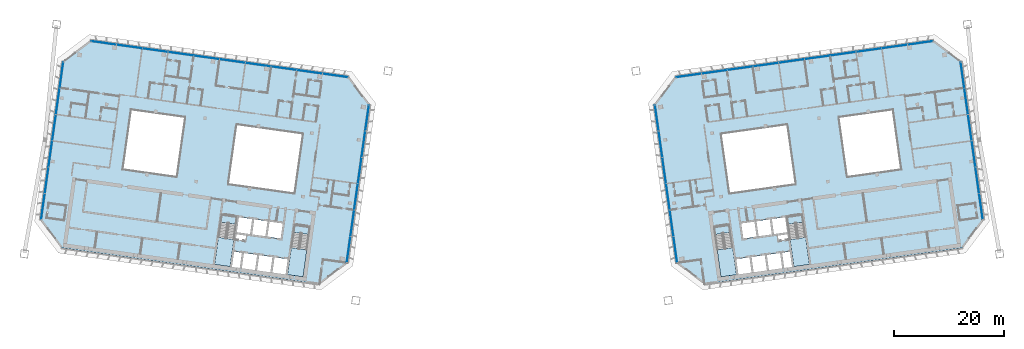
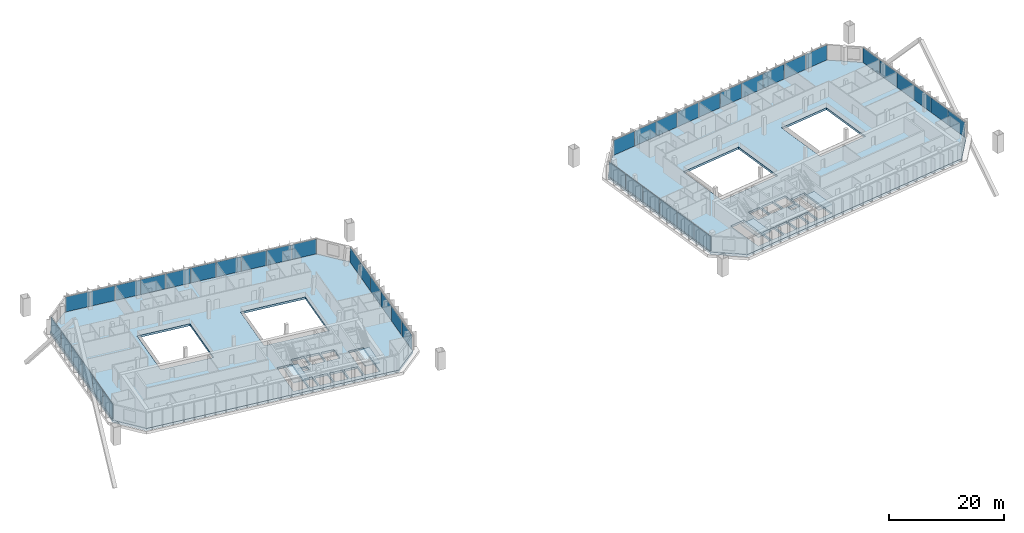
# One storey, part 12 of 23: 44 plates, 6 slabs, 10 elements without a shape of their own.
"""IFC4 building model written with IfcOpenShell, lengths in metres."""

from ifc_helpers import new_model, si_unit, direction, frame, origin, origin_2d, place, context, subcontext, project, spatial, polyline, rectangle, outline, extrude, material, layer, layer_set, type_object, element, aggregate, save


model = new_model("IFC4")

# Units and contexts
model_context = context("Model", 3, precision=1e-05, world=origin(), true_north=direction((0.0, 1.0)))
body_context = subcontext(model_context, "Body", "Model", "MODEL_VIEW")
ifc_project = project(units=[si_unit("LENGTHUNIT", "METRE"), si_unit("AREAUNIT", "SQUARE_METRE"), si_unit("VOLUMEUNIT", "CUBIC_METRE"), si_unit("PLANEANGLEUNIT", "RADIAN"), si_unit("MASSUNIT", "GRAM", prefix="KILO")], contexts=[model_context])

# Site, building, storey
site_placement = place(None, origin())
site = spatial("IfcSite", under=ifc_project, at=site_placement, CompositionType="ELEMENT")
building_placement = place(site_placement, origin())
building = spatial("IfcBuilding", under=site, at=building_placement, Name="Mirante Cascada Hotel Towers", CompositionType="ELEMENT")
storey_placement = place(building_placement, frame((0.0, 0.0, 195.4)))
storey = spatial("IfcBuildingStorey", under=building, at=storey_placement, Name="L46", CompositionType="ELEMENT", Elevation=195.4)

# Curtain wall, plates
ifc_material_1 = material(Name="Aluminium mullion and transom frame with clear laminated glass", Category="aluminium")
curtain_wall_type_1 = type_object("IfcCurtainWallType", Name="Ribbon curtain wall ECW1", PredefinedType="NOTDEFINED", material=ifc_material_1)
curtain_wall_1_placement = place(storey_placement, origin())
curtain_wall_1 = element("IfcCurtainWall", 1, at=curtain_wall_1_placement, inside=storey, type_object=curtain_wall_type_1, Name="Front ribbon wall T1 L46", PredefinedType="NOTDEFINED")
ifc_material_2 = material(Name="Clear laminated glass", Category="glass")
ifc_layer_1 = layer(ifc_material_2, 0.036)
ifc_layer_set_1 = layer_set([ifc_layer_1], Name="ECW1 glass panel 36")
plate_type_1 = type_object("IfcPlateType", Name="ECW1 glass panel 36", PredefinedType="CURTAIN_PANEL", material=ifc_layer_set_1)
plate_1_placement = place(storey_placement, frame((-73.9841, 23.2168, 0.1), z_axis=(0.0, 0.0, 1.0), x_axis=(0.9902681, -0.1391731, 0.0)))
plate_1 = element("IfcPlate", 2, at=plate_1_placement, type_object=plate_type_1, Name="ECW1 panel 1", PredefinedType="CURTAIN_PANEL", context=body_context, shape_type="SweptSolid", body=[
    extrude(rectangle(XDim=4.6146, YDim=0.036, at=origin_2d()), origin(), (0.0, 0.0, 1.0), 3.15),
])
plate_2_placement = place(storey_placement, frame((-69.3339, 22.5633, 0.1), z_axis=(0.0, 0.0, 1.0), x_axis=(0.9902681, -0.1391731, 0.0)))
plate_2 = element("IfcPlate", 3, at=plate_2_placement, type_object=plate_type_1, Name="ECW1 panel 2", PredefinedType="CURTAIN_PANEL", context=body_context, shape_type="SweptSolid", body=[
    extrude(rectangle(XDim=4.6471, YDim=0.036, at=origin_2d()), origin(), (0.0, 0.0, 1.0), 3.15),
])
plate_3_placement = place(storey_placement, frame((-64.6676, 21.9075, 0.1), z_axis=(0.0, 0.0, 1.0), x_axis=(0.9902681, -0.1391731, 0.0)))
plate_3 = element("IfcPlate", 4, at=plate_3_placement, type_object=plate_type_1, Name="ECW1 panel 3", PredefinedType="CURTAIN_PANEL", context=body_context, shape_type="SweptSolid", body=[
    extrude(rectangle(XDim=4.6471, YDim=0.036, at=origin_2d()), origin(), (0.0, 0.0, 1.0), 3.15),
])
plate_4_placement = place(storey_placement, frame((-60.0013, 21.2517, 0.1), z_axis=(0.0, 0.0, 1.0), x_axis=(0.9902681, -0.1391731, 0.0)))
plate_4 = element("IfcPlate", 5, at=plate_4_placement, type_object=plate_type_1, Name="ECW1 panel 4", PredefinedType="CURTAIN_PANEL", context=body_context, shape_type="SweptSolid", body=[
    extrude(rectangle(XDim=4.6471, YDim=0.036, at=origin_2d()), origin(), (0.0, 0.0, 1.0), 3.15),
])
plate_5_placement = place(storey_placement, frame((-55.335, 20.5959, 0.1), z_axis=(0.0, 0.0, 1.0), x_axis=(0.9902681, -0.1391731, 0.0)))
plate_5 = element("IfcPlate", 6, at=plate_5_placement, type_object=plate_type_1, Name="ECW1 panel 5", PredefinedType="CURTAIN_PANEL", context=body_context, shape_type="SweptSolid", body=[
    extrude(rectangle(XDim=4.6471, YDim=0.036, at=origin_2d()), origin(), (0.0, 0.0, 1.0), 3.15),
])
plate_6_placement = place(storey_placement, frame((-50.6688, 19.9401, 0.1), z_axis=(0.0, 0.0, 1.0), x_axis=(0.9902681, -0.1391731, 0.0)))
plate_6 = element("IfcPlate", 7, at=plate_6_placement, type_object=plate_type_1, Name="ECW1 panel 6", PredefinedType="CURTAIN_PANEL", context=body_context, shape_type="SweptSolid", body=[
    extrude(rectangle(XDim=4.6471, YDim=0.036, at=origin_2d()), origin(), (0.0, 0.0, 1.0), 3.15),
])
plate_7_placement = place(storey_placement, frame((-46.0025, 19.2842, 0.1), z_axis=(0.0, 0.0, 1.0), x_axis=(0.9902681, -0.1391731, 0.0)))
plate_7 = element("IfcPlate", 8, at=plate_7_placement, type_object=plate_type_1, Name="ECW1 panel 7", PredefinedType="CURTAIN_PANEL", context=body_context, shape_type="SweptSolid", body=[
    extrude(rectangle(XDim=4.6471, YDim=0.036, at=origin_2d()), origin(), (0.0, 0.0, 1.0), 3.15),
])
plate_8_placement = place(storey_placement, frame((-41.3362, 18.6284, 0.1), z_axis=(0.0, 0.0, 1.0), x_axis=(0.9902681, -0.1391731, 0.0)))
plate_8 = element("IfcPlate", 9, at=plate_8_placement, type_object=plate_type_1, Name="ECW1 panel 8", PredefinedType="CURTAIN_PANEL", context=body_context, shape_type="SweptSolid", body=[
    extrude(rectangle(XDim=4.6471, YDim=0.036, at=origin_2d()), origin(), (0.0, 0.0, 1.0), 3.15),
])
plate_9_placement = place(storey_placement, frame((-36.6699, 17.9726, 0.1), z_axis=(0.0, 0.0, 1.0), x_axis=(0.9902681, -0.1391731, 0.0)))
plate_9 = element("IfcPlate", 10, at=plate_9_placement, type_object=plate_type_1, Name="ECW1 panel 9", PredefinedType="CURTAIN_PANEL", context=body_context, shape_type="SweptSolid", body=[
    extrude(rectangle(XDim=4.6471, YDim=0.036, at=origin_2d()), origin(), (0.0, 0.0, 1.0), 3.15),
])
plate_10_placement = place(storey_placement, frame((-32.0197, 17.3191, 0.1), z_axis=(0.0, 0.0, 1.0), x_axis=(0.9902681, -0.1391731, 0.0)))
plate_10 = element("IfcPlate", 11, at=plate_10_placement, type_object=plate_type_1, Name="ECW1 panel 10", PredefinedType="CURTAIN_PANEL", context=body_context, shape_type="SweptSolid", body=[
    extrude(rectangle(XDim=4.6146, YDim=0.036, at=origin_2d()), origin(), (0.0, 0.0, 1.0), 3.15),
])
aggregate(curtain_wall_1, [plate_1, plate_2, plate_3, plate_4, plate_5, plate_6, plate_7, plate_8, plate_9, plate_10])

curtain_wall_2_placement = place(storey_placement, origin())
curtain_wall_2 = element("IfcCurtainWall", 12, at=curtain_wall_2_placement, inside=storey, type_object=curtain_wall_type_1, Name="Front ribbon wall T2 L46", PredefinedType="NOTDEFINED")
plate_11_placement = place(storey_placement, frame((73.9841, 23.2168, 0.1), z_axis=(0.0, 0.0, 1.0), x_axis=(-0.9902681, -0.1391731, 0.0)))
plate_11 = element("IfcPlate", 13, at=plate_11_placement, type_object=plate_type_1, Name="ECW1 panel 1", PredefinedType="CURTAIN_PANEL", context=body_context, shape_type="SweptSolid", body=[
    extrude(rectangle(XDim=4.6146, YDim=0.036, at=origin_2d()), origin(), (0.0, 0.0, 1.0), 3.15),
])
plate_12_placement = place(storey_placement, frame((69.3339, 22.5633, 0.1), z_axis=(0.0, 0.0, 1.0), x_axis=(-0.9902681, -0.1391731, 0.0)))
plate_12 = element("IfcPlate", 14, at=plate_12_placement, type_object=plate_type_1, Name="ECW1 panel 2", PredefinedType="CURTAIN_PANEL", context=body_context, shape_type="SweptSolid", body=[
    extrude(rectangle(XDim=4.6471, YDim=0.036, at=origin_2d()), origin(), (0.0, 0.0, 1.0), 3.15),
])
plate_13_placement = place(storey_placement, frame((64.6676, 21.9075, 0.1), z_axis=(0.0, 0.0, 1.0), x_axis=(-0.9902681, -0.1391731, 0.0)))
plate_13 = element("IfcPlate", 15, at=plate_13_placement, type_object=plate_type_1, Name="ECW1 panel 3", PredefinedType="CURTAIN_PANEL", context=body_context, shape_type="SweptSolid", body=[
    extrude(rectangle(XDim=4.6471, YDim=0.036, at=origin_2d()), origin(), (0.0, 0.0, 1.0), 3.15),
])
plate_14_placement = place(storey_placement, frame((60.0013, 21.2517, 0.1), z_axis=(0.0, 0.0, 1.0), x_axis=(-0.9902681, -0.1391731, 0.0)))
plate_14 = element("IfcPlate", 16, at=plate_14_placement, type_object=plate_type_1, Name="ECW1 panel 4", PredefinedType="CURTAIN_PANEL", context=body_context, shape_type="SweptSolid", body=[
    extrude(rectangle(XDim=4.6471, YDim=0.036, at=origin_2d()), origin(), (0.0, 0.0, 1.0), 3.15),
])
plate_15_placement = place(storey_placement, frame((55.335, 20.5959, 0.1), z_axis=(0.0, 0.0, 1.0), x_axis=(-0.9902681, -0.1391731, 0.0)))
plate_15 = element("IfcPlate", 17, at=plate_15_placement, type_object=plate_type_1, Name="ECW1 panel 5", PredefinedType="CURTAIN_PANEL", context=body_context, shape_type="SweptSolid", body=[
    extrude(rectangle(XDim=4.6471, YDim=0.036, at=origin_2d()), origin(), (0.0, 0.0, 1.0), 3.15),
])
plate_16_placement = place(storey_placement, frame((50.6688, 19.9401, 0.1), z_axis=(0.0, 0.0, 1.0), x_axis=(-0.9902681, -0.1391731, 0.0)))
plate_16 = element("IfcPlate", 18, at=plate_16_placement, type_object=plate_type_1, Name="ECW1 panel 6", PredefinedType="CURTAIN_PANEL", context=body_context, shape_type="SweptSolid", body=[
    extrude(rectangle(XDim=4.6471, YDim=0.036, at=origin_2d()), origin(), (0.0, 0.0, 1.0), 3.15),
])
plate_17_placement = place(storey_placement, frame((46.0025, 19.2842, 0.1), z_axis=(0.0, 0.0, 1.0), x_axis=(-0.9902681, -0.1391731, 0.0)))
plate_17 = element("IfcPlate", 19, at=plate_17_placement, type_object=plate_type_1, Name="ECW1 panel 7", PredefinedType="CURTAIN_PANEL", context=body_context, shape_type="SweptSolid", body=[
    extrude(rectangle(XDim=4.6471, YDim=0.036, at=origin_2d()), origin(), (0.0, 0.0, 1.0), 3.15),
])
plate_18_placement = place(storey_placement, frame((41.3362, 18.6284, 0.1), z_axis=(0.0, 0.0, 1.0), x_axis=(-0.9902681, -0.1391731, 0.0)))
plate_18 = element("IfcPlate", 20, at=plate_18_placement, type_object=plate_type_1, Name="ECW1 panel 8", PredefinedType="CURTAIN_PANEL", context=body_context, shape_type="SweptSolid", body=[
    extrude(rectangle(XDim=4.6471, YDim=0.036, at=origin_2d()), origin(), (0.0, 0.0, 1.0), 3.15),
])
plate_19_placement = place(storey_placement, frame((36.6699, 17.9726, 0.1), z_axis=(0.0, 0.0, 1.0), x_axis=(-0.9902681, -0.1391731, 0.0)))
plate_19 = element("IfcPlate", 21, at=plate_19_placement, type_object=plate_type_1, Name="ECW1 panel 9", PredefinedType="CURTAIN_PANEL", context=body_context, shape_type="SweptSolid", body=[
    extrude(rectangle(XDim=4.6471, YDim=0.036, at=origin_2d()), origin(), (0.0, 0.0, 1.0), 3.15),
])
plate_20_placement = place(storey_placement, frame((32.0197, 17.3191, 0.1), z_axis=(0.0, 0.0, 1.0), x_axis=(-0.9902681, -0.1391731, 0.0)))
plate_20 = element("IfcPlate", 22, at=plate_20_placement, type_object=plate_type_1, Name="ECW1 panel 10", PredefinedType="CURTAIN_PANEL", context=body_context, shape_type="SweptSolid", body=[
    extrude(rectangle(XDim=4.6146, YDim=0.036, at=origin_2d()), origin(), (0.0, 0.0, 1.0), 3.15),
])
aggregate(curtain_wall_2, [plate_11, plate_12, plate_13, plate_14, plate_15, plate_16, plate_17, plate_18, plate_19, plate_20])

ifc_material_3 = material(Name="Aluminium mullion and transom frame with clear laminated glass", Category="aluminium")
curtain_wall_type_2 = type_object("IfcCurtainWallType", Name="End ribbon curtain wall ECW2", PredefinedType="NOTDEFINED", material=ifc_material_3)
curtain_wall_3_placement = place(storey_placement, origin())
curtain_wall_3 = element("IfcCurtainWall", 23, at=curtain_wall_3_placement, inside=storey, type_object=curtain_wall_type_2, Name="Inner end wall T1 L46", PredefinedType="NOTDEFINED")
ifc_material_4 = material(Name="Clear laminated glass", Category="glass")
ifc_layer_2 = layer(ifc_material_4, 0.034)
ifc_layer_set_2 = layer_set([ifc_layer_2], Name="ECW2 glass panel 34")
plate_type_2 = type_object("IfcPlateType", Name="ECW2 glass panel 34", PredefinedType="CURTAIN_PANEL", material=ifc_layer_set_2)
plate_21_placement = place(storey_placement, frame((-26.2525, 9.6067, 0.1), z_axis=(0.0, 0.0, 1.0), x_axis=(-0.1391731, -0.9902681, 0.0)))
plate_21 = element("IfcPlate", 24, at=plate_21_placement, type_object=plate_type_2, Name="ECW2 panel 1", PredefinedType="CURTAIN_PANEL", context=body_context, shape_type="SweptSolid", body=[
    extrude(rectangle(XDim=4.7151, YDim=0.034, at=origin_2d()), origin(), (0.0, 0.0, 1.0), 3.15),
])
plate_22_placement = place(storey_placement, frame((-26.92, 4.857, 0.1), z_axis=(0.0, 0.0, 1.0), x_axis=(-0.1391731, -0.9902681, 0.0)))
plate_22 = element("IfcPlate", 25, at=plate_22_placement, type_object=plate_type_2, Name="ECW2 panel 2", PredefinedType="CURTAIN_PANEL", context=body_context, shape_type="SweptSolid", body=[
    extrude(rectangle(XDim=4.7476, YDim=0.034, at=origin_2d()), origin(), (0.0, 0.0, 1.0), 3.15),
])
plate_23_placement = place(storey_placement, frame((-27.5898, 0.0912, 0.1), z_axis=(0.0, 0.0, 1.0), x_axis=(-0.1391731, -0.9902681, 0.0)))
plate_23 = element("IfcPlate", 26, at=plate_23_placement, type_object=plate_type_2, Name="ECW2 panel 3", PredefinedType="CURTAIN_PANEL", context=body_context, shape_type="SweptSolid", body=[
    extrude(rectangle(XDim=4.7476, YDim=0.034, at=origin_2d()), origin(), (0.0, 0.0, 1.0), 3.15),
])
plate_24_placement = place(storey_placement, frame((-28.2596, -4.6746, 0.1), z_axis=(0.0, 0.0, 1.0), x_axis=(-0.1391731, -0.9902681, 0.0)))
plate_24 = element("IfcPlate", 27, at=plate_24_placement, type_object=plate_type_2, Name="ECW2 panel 4", PredefinedType="CURTAIN_PANEL", context=body_context, shape_type="SweptSolid", body=[
    extrude(rectangle(XDim=4.7476, YDim=0.034, at=origin_2d()), origin(), (0.0, 0.0, 1.0), 3.15),
])
plate_25_placement = place(storey_placement, frame((-28.9294, -9.4403, 0.1), z_axis=(0.0, 0.0, 1.0), x_axis=(-0.1391731, -0.9902681, 0.0)))
plate_25 = element("IfcPlate", 28, at=plate_25_placement, type_object=plate_type_2, Name="ECW2 panel 5", PredefinedType="CURTAIN_PANEL", context=body_context, shape_type="SweptSolid", body=[
    extrude(rectangle(XDim=4.7476, YDim=0.034, at=origin_2d()), origin(), (0.0, 0.0, 1.0), 3.15),
])
plate_26_placement = place(storey_placement, frame((-29.5969, -14.19, 0.1), z_axis=(0.0, 0.0, 1.0), x_axis=(-0.1391731, -0.9902681, 0.0)))
plate_26 = element("IfcPlate", 29, at=plate_26_placement, type_object=plate_type_2, Name="ECW2 panel 6", PredefinedType="CURTAIN_PANEL", context=body_context, shape_type="SweptSolid", body=[
    extrude(rectangle(XDim=4.7151, YDim=0.034, at=origin_2d()), origin(), (0.0, 0.0, 1.0), 3.15),
])
aggregate(curtain_wall_3, [plate_21, plate_22, plate_23, plate_24, plate_25, plate_26])

curtain_wall_4_placement = place(storey_placement, origin())
curtain_wall_4 = element("IfcCurtainWall", 30, at=curtain_wall_4_placement, inside=storey, type_object=curtain_wall_type_2, Name="Outer end wall T1 L46", PredefinedType="NOTDEFINED")
plate_27_placement = place(storey_placement, frame((-83.6608, 3.1116, 0.1), z_axis=(0.0, 0.0, 1.0), x_axis=(0.1391731, 0.9902681, 0.0)))
plate_27 = element("IfcPlate", 31, at=plate_27_placement, type_object=plate_type_2, Name="ECW2 panel 3", PredefinedType="CURTAIN_PANEL", context=body_context, shape_type="SweptSolid", body=[
    extrude(rectangle(XDim=4.7476, YDim=0.034, at=origin_2d()), origin(), (0.0, 0.0, 1.0), 3.15),
])
plate_28_placement = place(storey_placement, frame((-82.991, 7.8774, 0.1), z_axis=(0.0, 0.0, 1.0), x_axis=(0.1391731, 0.9902681, 0.0)))
plate_28 = element("IfcPlate", 32, at=plate_28_placement, type_object=plate_type_2, Name="ECW2 panel 4", PredefinedType="CURTAIN_PANEL", context=body_context, shape_type="SweptSolid", body=[
    extrude(rectangle(XDim=4.7476, YDim=0.034, at=origin_2d()), origin(), (0.0, 0.0, 1.0), 3.15),
])

curtain_wall_5_placement = place(storey_placement, origin())
curtain_wall_5 = element("IfcCurtainWall", 33, at=curtain_wall_5_placement, inside=storey, type_object=curtain_wall_type_2, Name="Inner end wall T2 L46", PredefinedType="NOTDEFINED")
plate_29_placement = place(storey_placement, frame((26.2525, 9.6067, 0.1), z_axis=(0.0, 0.0, 1.0), x_axis=(0.1391731, -0.9902681, 0.0)))
plate_29 = element("IfcPlate", 34, at=plate_29_placement, type_object=plate_type_2, Name="ECW2 panel 1", PredefinedType="CURTAIN_PANEL", context=body_context, shape_type="SweptSolid", body=[
    extrude(rectangle(XDim=4.7151, YDim=0.034, at=origin_2d()), origin(), (0.0, 0.0, 1.0), 3.15),
])
plate_30_placement = place(storey_placement, frame((26.92, 4.857, 0.1), z_axis=(0.0, 0.0, 1.0), x_axis=(0.1391731, -0.9902681, 0.0)))
plate_30 = element("IfcPlate", 35, at=plate_30_placement, type_object=plate_type_2, Name="ECW2 panel 2", PredefinedType="CURTAIN_PANEL", context=body_context, shape_type="SweptSolid", body=[
    extrude(rectangle(XDim=4.7476, YDim=0.034, at=origin_2d()), origin(), (0.0, 0.0, 1.0), 3.15),
])
plate_31_placement = place(storey_placement, frame((27.5898, 0.0912, 0.1), z_axis=(0.0, 0.0, 1.0), x_axis=(0.1391731, -0.9902681, 0.0)))
plate_31 = element("IfcPlate", 36, at=plate_31_placement, type_object=plate_type_2, Name="ECW2 panel 3", PredefinedType="CURTAIN_PANEL", context=body_context, shape_type="SweptSolid", body=[
    extrude(rectangle(XDim=4.7476, YDim=0.034, at=origin_2d()), origin(), (0.0, 0.0, 1.0), 3.15),
])
plate_32_placement = place(storey_placement, frame((28.2596, -4.6746, 0.1), z_axis=(0.0, 0.0, 1.0), x_axis=(0.1391731, -0.9902681, 0.0)))
plate_32 = element("IfcPlate", 37, at=plate_32_placement, type_object=plate_type_2, Name="ECW2 panel 4", PredefinedType="CURTAIN_PANEL", context=body_context, shape_type="SweptSolid", body=[
    extrude(rectangle(XDim=4.7476, YDim=0.034, at=origin_2d()), origin(), (0.0, 0.0, 1.0), 3.15),
])
plate_33_placement = place(storey_placement, frame((28.9294, -9.4403, 0.1), z_axis=(0.0, 0.0, 1.0), x_axis=(0.1391731, -0.9902681, 0.0)))
plate_33 = element("IfcPlate", 38, at=plate_33_placement, type_object=plate_type_2, Name="ECW2 panel 5", PredefinedType="CURTAIN_PANEL", context=body_context, shape_type="SweptSolid", body=[
    extrude(rectangle(XDim=4.7476, YDim=0.034, at=origin_2d()), origin(), (0.0, 0.0, 1.0), 3.15),
])
plate_34_placement = place(storey_placement, frame((29.5969, -14.19, 0.1), z_axis=(0.0, 0.0, 1.0), x_axis=(0.1391731, -0.9902681, 0.0)))
plate_34 = element("IfcPlate", 39, at=plate_34_placement, type_object=plate_type_2, Name="ECW2 panel 6", PredefinedType="CURTAIN_PANEL", context=body_context, shape_type="SweptSolid", body=[
    extrude(rectangle(XDim=4.7151, YDim=0.034, at=origin_2d()), origin(), (0.0, 0.0, 1.0), 3.15),
])
aggregate(curtain_wall_5, [plate_29, plate_30, plate_31, plate_32, plate_33, plate_34])

curtain_wall_6_placement = place(storey_placement, origin())
curtain_wall_6 = element("IfcCurtainWall", 40, at=curtain_wall_6_placement, inside=storey, type_object=curtain_wall_type_2, Name="Outer end wall T2 L46", PredefinedType="NOTDEFINED")
plate_35_placement = place(storey_placement, frame((83.6608, 3.1116, 0.1), z_axis=(0.0, 0.0, 1.0), x_axis=(-0.1391731, 0.9902681, 0.0)))
plate_35 = element("IfcPlate", 41, at=plate_35_placement, type_object=plate_type_2, Name="ECW2 panel 3", PredefinedType="CURTAIN_PANEL", context=body_context, shape_type="SweptSolid", body=[
    extrude(rectangle(XDim=4.7476, YDim=0.034, at=origin_2d()), origin(), (0.0, 0.0, 1.0), 3.15),
])
plate_36_placement = place(storey_placement, frame((82.991, 7.8774, 0.1), z_axis=(0.0, 0.0, 1.0), x_axis=(-0.1391731, 0.9902681, 0.0)))
plate_36 = element("IfcPlate", 42, at=plate_36_placement, type_object=plate_type_2, Name="ECW2 panel 4", PredefinedType="CURTAIN_PANEL", context=body_context, shape_type="SweptSolid", body=[
    extrude(rectangle(XDim=4.7476, YDim=0.034, at=origin_2d()), origin(), (0.0, 0.0, 1.0), 3.15),
])

# Plate
ifc_material_5 = material(Name="Insulated aluminium spandrel panel", Category="aluminium")
ifc_layer_3 = layer(ifc_material_5, 0.034)
ifc_layer_set_3 = layer_set([ifc_layer_3], Name="ECW2 spandrel panel 34")
plate_type_3 = type_object("IfcPlateType", Name="ECW2 spandrel panel 34", PredefinedType="CURTAIN_PANEL", material=ifc_layer_set_3)
plate_37_placement = place(storey_placement, frame((-84.9981, -6.4039, 0.1), z_axis=(0.0, 0.0, 1.0), x_axis=(0.1391731, 0.9902681, 0.0)))
plate_37 = element("IfcPlate", 43, at=plate_37_placement, type_object=plate_type_3, Name="ECW2 panel 1", PredefinedType="CURTAIN_PANEL", context=body_context, shape_type="SweptSolid", body=[
    extrude(rectangle(XDim=4.7151, YDim=0.034, at=origin_2d()), origin(), (0.0, 0.0, 1.0), 3.15),
])

plate_38_placement = place(storey_placement, frame((-84.3306, -1.6542, 0.1), z_axis=(0.0, 0.0, 1.0), x_axis=(0.1391731, 0.9902681, 0.0)))
plate_38 = element("IfcPlate", 44, at=plate_38_placement, type_object=plate_type_3, Name="ECW2 panel 2", PredefinedType="CURTAIN_PANEL", context=body_context, shape_type="SweptSolid", body=[
    extrude(rectangle(XDim=4.7476, YDim=0.034, at=origin_2d()), origin(), (0.0, 0.0, 1.0), 3.15),
])

plate_39_placement = place(storey_placement, frame((-82.3213, 12.6432, 0.1), z_axis=(0.0, 0.0, 1.0), x_axis=(0.1391731, 0.9902681, 0.0)))
plate_39 = element("IfcPlate", 45, at=plate_39_placement, type_object=plate_type_3, Name="ECW2 panel 5", PredefinedType="CURTAIN_PANEL", context=body_context, shape_type="SweptSolid", body=[
    extrude(rectangle(XDim=4.7476, YDim=0.034, at=origin_2d()), origin(), (0.0, 0.0, 1.0), 3.15),
])

plate_40_placement = place(storey_placement, frame((-81.6537, 17.3928, 0.1), z_axis=(0.0, 0.0, 1.0), x_axis=(0.1391731, 0.9902681, 0.0)))
plate_40 = element("IfcPlate", 46, at=plate_40_placement, type_object=plate_type_3, Name="ECW2 panel 6", PredefinedType="CURTAIN_PANEL", context=body_context, shape_type="SweptSolid", body=[
    extrude(rectangle(XDim=4.7151, YDim=0.034, at=origin_2d()), origin(), (0.0, 0.0, 1.0), 3.15),
])

aggregate(curtain_wall_4, [plate_37, plate_38, plate_27, plate_28, plate_39, plate_40])

plate_41_placement = place(storey_placement, frame((84.9981, -6.4039, 0.1), z_axis=(0.0, 0.0, 1.0), x_axis=(-0.1391731, 0.9902681, 0.0)))
plate_41 = element("IfcPlate", 47, at=plate_41_placement, type_object=plate_type_3, Name="ECW2 panel 1", PredefinedType="CURTAIN_PANEL", context=body_context, shape_type="SweptSolid", body=[
    extrude(rectangle(XDim=4.7151, YDim=0.034, at=origin_2d()), origin(), (0.0, 0.0, 1.0), 3.15),
])

plate_42_placement = place(storey_placement, frame((84.3306, -1.6542, 0.1), z_axis=(0.0, 0.0, 1.0), x_axis=(-0.1391731, 0.9902681, 0.0)))
plate_42 = element("IfcPlate", 48, at=plate_42_placement, type_object=plate_type_3, Name="ECW2 panel 2", PredefinedType="CURTAIN_PANEL", context=body_context, shape_type="SweptSolid", body=[
    extrude(rectangle(XDim=4.7476, YDim=0.034, at=origin_2d()), origin(), (0.0, 0.0, 1.0), 3.15),
])

plate_43_placement = place(storey_placement, frame((82.3213, 12.6432, 0.1), z_axis=(0.0, 0.0, 1.0), x_axis=(-0.1391731, 0.9902681, 0.0)))
plate_43 = element("IfcPlate", 49, at=plate_43_placement, type_object=plate_type_3, Name="ECW2 panel 5", PredefinedType="CURTAIN_PANEL", context=body_context, shape_type="SweptSolid", body=[
    extrude(rectangle(XDim=4.7476, YDim=0.034, at=origin_2d()), origin(), (0.0, 0.0, 1.0), 3.15),
])

plate_44_placement = place(storey_placement, frame((81.6537, 17.3928, 0.1), z_axis=(0.0, 0.0, 1.0), x_axis=(-0.1391731, 0.9902681, 0.0)))
plate_44 = element("IfcPlate", 50, at=plate_44_placement, type_object=plate_type_3, Name="ECW2 panel 6", PredefinedType="CURTAIN_PANEL", context=body_context, shape_type="SweptSolid", body=[
    extrude(rectangle(XDim=4.7151, YDim=0.034, at=origin_2d()), origin(), (0.0, 0.0, 1.0), 3.15),
])

aggregate(curtain_wall_6, [plate_41, plate_42, plate_35, plate_36, plate_43, plate_44])

# Stair, slab
ifc_material_6 = material(Name="Concrete C35/45", Category="concrete")
stair_type = type_object("IfcStairType", Name="Exit stair half-turn 1350 concrete C35/45", PredefinedType="HALF_TURN_STAIR", material=ifc_material_6)
stair_1_placement = place(storey_placement, origin())
stair_1 = element("IfcStair", 51, at=stair_1_placement, inside=storey, type_object=stair_type, Name="L46 Exit stair A", PredefinedType="HALF_TURN_STAIR")
ifc_material_7 = material(Name="Concrete C35/45", Category="concrete")
ifc_layer_4 = layer(ifc_material_7, 0.2)
ifc_layer_set_4 = layer_set([ifc_layer_4], Name="Exit stair landing 200 concrete C35/45")
slab_type_1 = type_object("IfcSlabType", Name="Exit stair landing 200 concrete C35/45", PredefinedType="LANDING", material=ifc_layer_set_4)
slab_1_placement = place(storey_placement, frame((0.0, 0.0, 1.7)))
slab_1 = element("IfcSlab", 52, at=slab_1_placement, type_object=slab_type_1, Name="ST1-A landing 1", PredefinedType="LANDING", context=body_context, shape_type="SweptSolid", body=[
    extrude(outline(polyline([(-39.9987, -13.8659), (-40.6887, -18.7757), (-37.8665, -19.1723), (-37.1765, -14.2626), (-39.9987, -13.8659)])), origin(), (0.0, 0.0, 1.0), 0.2),
])
aggregate(stair_1, [slab_1])

stair_2_placement = place(storey_placement, origin())
stair_2 = element("IfcStair", 53, at=stair_2_placement, inside=storey, type_object=stair_type, Name="L46 Exit stair B", PredefinedType="HALF_TURN_STAIR")
slab_2_placement = place(storey_placement, frame((0.0, 0.0, 1.7)))
slab_2 = element("IfcSlab", 54, at=slab_2_placement, type_object=slab_type_1, Name="ST1-B landing 1", PredefinedType="LANDING", context=body_context, shape_type="SweptSolid", body=[
    extrude(outline(polyline([(-53.2188, -12.008), (-53.9088, -16.9177), (-51.0866, -17.3144), (-50.3965, -12.4046), (-53.2188, -12.008)])), origin(), (0.0, 0.0, 1.0), 0.2),
])
aggregate(stair_2, [slab_2])

stair_3_placement = place(storey_placement, origin())
stair_3 = element("IfcStair", 55, at=stair_3_placement, inside=storey, type_object=stair_type, Name="L46 Exit stair A", PredefinedType="HALF_TURN_STAIR")
slab_3_placement = place(storey_placement, frame((0.0, 0.0, 1.7)))
slab_3 = element("IfcSlab", 56, at=slab_3_placement, type_object=slab_type_1, Name="ST2-A landing 1", PredefinedType="LANDING", context=body_context, shape_type="SweptSolid", body=[
    extrude(outline(polyline([(37.1765, -14.2626), (37.8665, -19.1723), (40.6887, -18.7757), (39.9987, -13.8659), (37.1765, -14.2626)])), origin(), (0.0, 0.0, 1.0), 0.2),
])
aggregate(stair_3, [slab_3])

stair_4_placement = place(storey_placement, origin())
stair_4 = element("IfcStair", 57, at=stair_4_placement, inside=storey, type_object=stair_type, Name="L46 Exit stair B", PredefinedType="HALF_TURN_STAIR")
slab_4_placement = place(storey_placement, frame((0.0, 0.0, 1.7)))
slab_4 = element("IfcSlab", 58, at=slab_4_placement, type_object=slab_type_1, Name="ST2-B landing 1", PredefinedType="LANDING", context=body_context, shape_type="SweptSolid", body=[
    extrude(outline(polyline([(50.3965, -12.4046), (51.0866, -17.3144), (53.9088, -16.9177), (53.2188, -12.008), (50.3965, -12.4046)])), origin(), (0.0, 0.0, 1.0), 0.2),
])
aggregate(stair_4, [slab_4])

# Slabs
ifc_material_8 = material(Name="Concrete C40/50", Category="concrete")
ifc_layer_5 = layer(ifc_material_8, 0.45)
ifc_layer_set_5 = layer_set([ifc_layer_5], Name="Post-tensioned flat plate 450 Concrete C40/50")
slab_type_2 = type_object("IfcSlabType", Name="Post-tensioned flat plate 450 Concrete C40/50", PredefinedType="FLOOR", material=ifc_layer_set_5)
slab_5_placement = place(storey_placement, frame((0.0, 0.0, -0.45)))
element("IfcSlab", 59, at=slab_5_placement, inside=storey, type_object=slab_type_2, Name="Floor T1 L46", PredefinedType="FLOOR", context=body_context, shape_type="SweptSolid", body=[
    extrude(outline(polyline([(-29.7942, -16.6714), (-25.7581, 12.0463), (-29.5881, 17.1288), (-76.374, 23.7042), (-81.4565, 19.8742), (-85.4925, -8.8435), (-81.6626, -13.926), (-34.8766, -20.5014), (-29.7942, -16.6714)]), holes=[polyline([(-40.5961, -15.9612), (-40.9858, -18.7339), (-43.4615, -18.386), (-43.0718, -15.6132), (-40.5961, -15.9612)]), polyline([(-43.3689, -15.5715), (-43.7586, -18.3442), (-46.2342, -17.9963), (-45.8446, -15.2236), (-43.3689, -15.5715)]), polyline([(-46.1416, -15.1818), (-46.5313, -17.9546), (-49.007, -17.6066), (-48.6173, -14.8339), (-46.1416, -15.1818)]), polyline([(-36.7887, -11.5037), (-37.8665, -19.1723), (-40.6887, -18.7757), (-39.611, -11.107), (-36.7887, -11.5037)]), polyline([(-43.9775, -9.124), (-41.5018, -9.472), (-41.8915, -12.2447), (-44.3672, -11.8968), (-43.9775, -9.124)]), polyline([(-44.2746, -9.0823), (-44.6643, -11.855), (-47.1399, -11.5071), (-46.7503, -8.7344), (-44.2746, -9.0823)]), polyline([(-50.3998, -14.5834), (-48.9144, -14.7921), (-49.3041, -17.5649), (-50.7895, -17.3561), (-50.3998, -14.5834)]), polyline([(-50.0088, -9.6457), (-51.0866, -17.3144), (-53.9088, -16.9177), (-52.8311, -9.2491), (-50.0088, -9.6457)]), polyline([(-48.1472, -11.6685), (-48.2829, -12.634), (-50.0901, -12.38), (-49.9544, -11.4145), (-48.1472, -11.6685)]), polyline([(-49.523, -8.3447), (-47.0473, -8.6926), (-47.437, -11.4654), (-49.9127, -11.1174), (-49.523, -8.3447)]), polyline([(-59.2472, 9.7851), (-59.2472, 9.7851), (-60.7781, -1.1078), (-60.7781, -1.1078), (-70.579, 0.2696), (-69.0481, 11.1625), (-59.2472, 9.7851)]), polyline([(-37.8547, 6.7786), (-39.3856, -4.1144), (-51.4189, -2.4232), (-51.4189, -2.4232), (-49.888, 8.4698), (-37.8547, 6.7786)])]), origin(), (0.0, 0.0, 1.0), 0.45),
])
slab_6_placement = place(storey_placement, frame((0.0, 0.0, -0.45)))
element("IfcSlab", 60, at=slab_6_placement, inside=storey, type_object=slab_type_2, Name="Floor T2 L46", PredefinedType="FLOOR", context=body_context, shape_type="SweptSolid", body=[
    extrude(outline(polyline([(29.7942, -16.6714), (25.7581, 12.0463), (29.5881, 17.1288), (76.374, 23.7042), (81.4565, 19.8742), (85.4925, -8.8435), (81.6626, -13.926), (34.8766, -20.5014), (29.7942, -16.6714)]), holes=[polyline([(40.5961, -15.9612), (40.9858, -18.7339), (43.4615, -18.386), (43.0718, -15.6132), (40.5961, -15.9612)]), polyline([(43.3689, -15.5715), (43.7586, -18.3442), (46.2342, -17.9963), (45.8446, -15.2236), (43.3689, -15.5715)]), polyline([(46.1416, -15.1818), (46.5313, -17.9546), (49.007, -17.6066), (48.6173, -14.8339), (46.1416, -15.1818)]), polyline([(37.8665, -19.1723), (40.6887, -18.7757), (39.611, -11.107), (36.7887, -11.5037), (37.8665, -19.1723)]), polyline([(43.9775, -9.124), (41.5018, -9.472), (41.8915, -12.2447), (44.3672, -11.8968), (43.9775, -9.124)]), polyline([(44.2746, -9.0823), (44.6643, -11.855), (47.1399, -11.5071), (46.7503, -8.7344), (44.2746, -9.0823)]), polyline([(50.3998, -14.5834), (48.9144, -14.7921), (49.3041, -17.5649), (50.7895, -17.3561), (50.3998, -14.5834)]), polyline([(51.0866, -17.3144), (53.9088, -16.9177), (52.8311, -9.2491), (50.0088, -9.6457), (51.0866, -17.3144)]), polyline([(48.1472, -11.6685), (48.2829, -12.634), (50.0901, -12.38), (49.9544, -11.4145), (48.1472, -11.6685)]), polyline([(49.523, -8.3447), (47.0473, -8.6926), (47.437, -11.4654), (49.9127, -11.1174), (49.523, -8.3447)]), polyline([(69.0481, 11.1625), (70.579, 0.2696), (60.7781, -1.1078), (60.7781, -1.1078), (59.2472, 9.7851), (59.2472, 9.7851), (69.0481, 11.1625)]), polyline([(39.3856, -4.1144), (37.8547, 6.7786), (49.888, 8.4698), (51.4189, -2.4232), (51.4189, -2.4232), (39.3856, -4.1144)])]), origin(), (0.0, 0.0, 1.0), 0.45),
])

save(model, "model.ifc")
